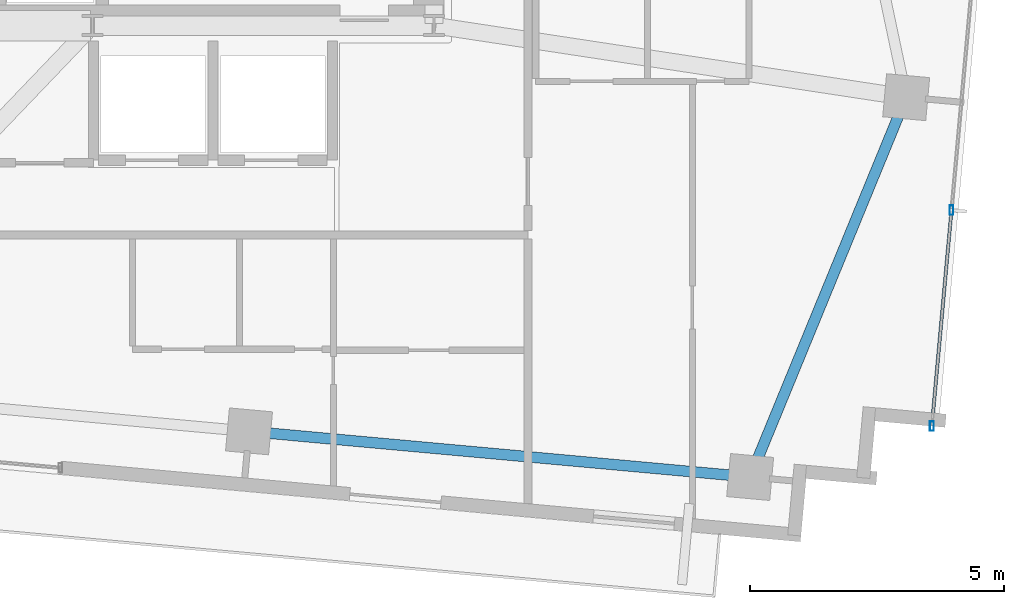
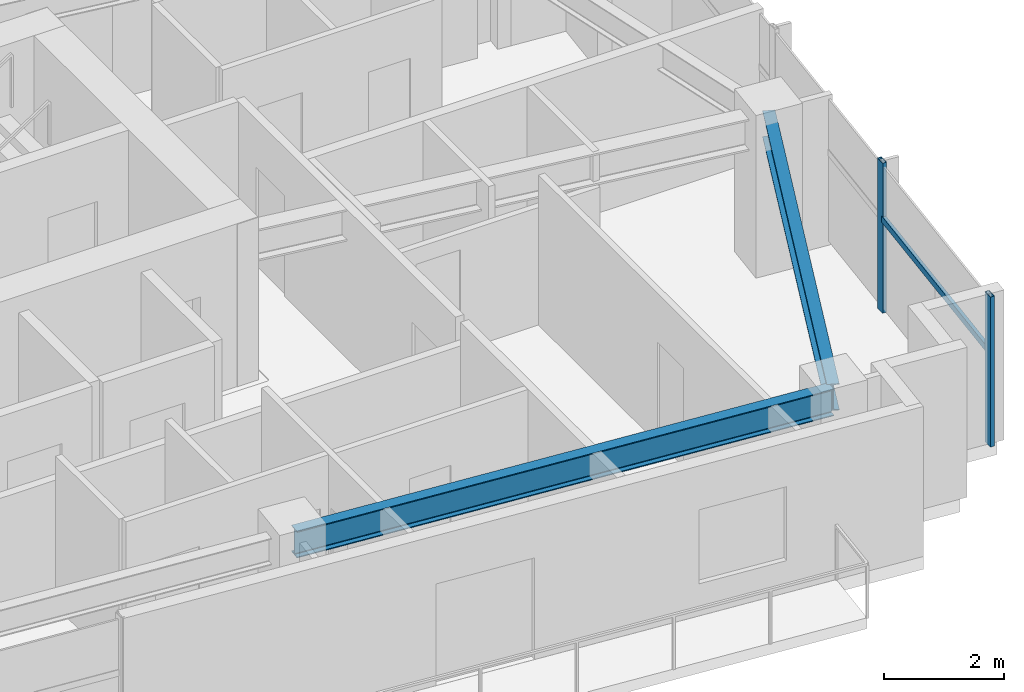
# One storey, part 12 of 22: 3 members, 2 beams, 1 element without a shape of its own.
"""IFC4 building model written with IfcOpenShell, lengths in metres."""

from ifc_helpers import new_model, si_unit, direction, frame, origin, origin_2d, place, context, subcontext, project, spatial, hollow_rectangle, i_section, extrude, source, transform, mapped, material, material_profile, profile_set, type_object, type_shapes, element, aggregate, save


model = new_model("IFC4")

# Units and contexts
model_context = context("Model", 3, precision=1e-05, world=origin(), true_north=direction((0.0, 1.0)))
body_context = subcontext(model_context, "Body", "Model", "MODEL_VIEW")
ifc_project = project(units=[si_unit("LENGTHUNIT", "METRE"), si_unit("AREAUNIT", "SQUARE_METRE"), si_unit("VOLUMEUNIT", "CUBIC_METRE"), si_unit("PLANEANGLEUNIT", "RADIAN"), si_unit("MASSUNIT", "GRAM", prefix="KILO")], contexts=[model_context])

# Site, building, storey
site_placement = place(None, origin())
site = spatial("IfcSite", under=ifc_project, at=site_placement, CompositionType="ELEMENT")
building_placement = place(site_placement, origin())
building = spatial("IfcBuilding", under=site, at=building_placement, Name="Astriad Promenade Condominiums", CompositionType="ELEMENT")
storey_placement = place(building_placement, frame((0.0, 0.0, 246.300048828125)))
storey = spatial("IfcBuildingStorey", under=building, at=storey_placement, Name="L71", CompositionType="ELEMENT", Elevation=246.300048828125)

# Beams
ifc_material_1 = material(Name="Steel ASTM A992 Grade 50", Category="steel")
ifc_material_profile_1 = material_profile(ifc_material_1, i_section(OverallWidth=0.210693359375, OverallDepth=0.53955078125, WebThickness=0.01171875, FlangeThickness=0.018798828125, FilletRadius=0.0166015625, at=origin_2d()), Name="W21X73")
ifc_profile_set_1 = profile_set([ifc_material_profile_1], Name="Steel ASTM A992 Grade 50")
beam_type = type_object("IfcBeamType", Name="STEEL SPANDREL BEAM W21X73", PredefinedType="SPANDREL", material=ifc_profile_set_1)
shared_shape_1 = source(origin(), body_context, "Body", "SweptSolid", [
    extrude(i_section(OverallWidth=0.210693359375, OverallDepth=0.53955078125, WebThickness=0.01171875, FlangeThickness=0.018798828125, FilletRadius=0.0166015625, at=origin_2d()), origin(), (0.0, 0.0, 1.0), 9.820068359375),
])
beam_1_placement = place(storey_placement, frame((41.99951171875, 9.410888671875, 2.770263671875), z_axis=(0.995883214993, -0.090645585088, 0.0), x_axis=(0.090645585088, 0.995883214993, 0.0)))
element("IfcBeam", 1, at=beam_1_placement, inside=storey, type_object=beam_type, Name="Perimeter Spandrel Beam SP-S4-L71", PredefinedType="SPANDREL", context=body_context, shape_type="MappedRepresentation", body=[
    mapped(shared_shape_1, transform((0.0, 0.0, 0.0), scale=1.0)),
])
shared_shape_2 = source(origin(), body_context, "Body", "SweptSolid", [
    extrude(i_section(OverallWidth=0.210693359375, OverallDepth=0.53955078125, WebThickness=0.01171875, FlangeThickness=0.018798828125, FilletRadius=0.0166015625, at=origin_2d()), origin(), (0.0, 0.0, 1.0), 7.998779296875),
])
type_shapes(beam_type, [shared_shape_1, shared_shape_2])
beam_2_placement = place(storey_placement, frame((51.833984375, 8.55419921875, 2.770263671875), z_axis=(0.38000513148, 0.924984378273, 0.0), x_axis=(-0.924984378273, 0.38000513148, 0.0)))
element("IfcBeam", 2, at=beam_2_placement, inside=storey, type_object=beam_type, Name="Perimeter Spandrel Beam SP-E1-L71", PredefinedType="SPANDREL", context=body_context, shape_type="MappedRepresentation", body=[
    mapped(shared_shape_2, transform((0.0, 0.0, 0.0), scale=1.0)),
])

# Curtain wall, members
ifc_material_2 = material(Name="Anodised aluminium Black Dark Glass Unitised", Category="aluminium")
curtain_wall_type = type_object("IfcCurtainWallType", Name="CW-B5-DARK", PredefinedType="USERDEFINED", material=ifc_material_2)
curtain_wall_placement = place(storey_placement, origin())
curtain_wall = element("IfcCurtainWall", 3, at=curtain_wall_placement, inside=storey, type_object=curtain_wall_type, Name="CW-L71-E", ObjectType="UNITISED_CURTAIN_WALL", PredefinedType="USERDEFINED")
ifc_material_3 = material(Name="Anodised aluminium 6063-T6 Black", Category="aluminium")
ifc_material_profile_2 = material_profile(ifc_material_3, hollow_rectangle(XDim=0.06494140625, YDim=0.1298828125, WallThickness=0.00390625, at=origin_2d()), Name="ALU-TRN-65X130")
ifc_profile_set_2 = profile_set([ifc_material_profile_2], Name="Anodised aluminium 6063-T6 Black")
member_type_1 = type_object("IfcMemberType", Name="TRN-ALU-TRN-65X130", PredefinedType="USERDEFINED", material=ifc_profile_set_2)
shared_shape_3 = source(origin(), body_context, "Body", "SweptSolid", [
    extrude(hollow_rectangle(XDim=0.06494140625, YDim=0.1298828125, WallThickness=0.00390625, at=origin_2d()), origin(), (0.0, 0.0, 1.0), 4.2666015625),
])
type_shapes(member_type_1, [shared_shape_3])
member_1_placement = place(storey_placement, frame((55.78076171875, 13.766357421875, 1.884765625), z_axis=(-0.090638931954, -0.99588382054, 0.0), x_axis=(0.99588382054, -0.090638931954, 0.0)))
member_1 = element("IfcMember", 4, at=member_1_placement, type_object=member_type_1, Name="CW-L71-E-TRN-02-0", ObjectType="TRANSOM", PredefinedType="USERDEFINED", context=body_context, shape_type="MappedRepresentation", body=[
    mapped(shared_shape_3, transform((0.0, 0.0, 0.0), scale=1.0)),
])
ifc_material_profile_3 = material_profile(ifc_material_3, hollow_rectangle(XDim=0.074951171875, YDim=0.18505859375, WallThickness=0.00439453125, at=origin_2d()), Name="ALU-MUL-75X185")
ifc_profile_set_3 = profile_set([ifc_material_profile_3], Name="Anodised aluminium 6063-T6 Black")
member_type_2 = type_object("IfcMemberType", Name="MUL-ALU-MUL-75X185", PredefinedType="MULLION", material=ifc_profile_set_3)
shared_shape_4 = source(origin(), body_context, "Body", "SweptSolid", [
    extrude(hollow_rectangle(XDim=0.074951171875, YDim=0.18505859375, WallThickness=0.00439453125, at=origin_2d()), origin(), (0.0, 0.0, 1.0), 3.0400390625),
])
type_shapes(member_type_2, [shared_shape_4])
member_2_placement = place(storey_placement, frame((55.78076171875, 13.766357421875, 0.0), z_axis=(0.0, 0.0, 1.0), x_axis=(1.0, 0.0, 0.0)))
member_2 = element("IfcMember", 5, at=member_2_placement, type_object=member_type_2, Name="CW-L71-E-MUL-02", PredefinedType="MULLION", context=body_context, shape_type="MappedRepresentation", body=[
    mapped(shared_shape_4, transform((0.0, 0.0, 0.0), scale=1.0)),
])
member_3_placement = place(storey_placement, frame((55.39404296875, 9.517333984375, 0.0), z_axis=(0.0, 0.0, 1.0), x_axis=(1.0, 0.0, 0.0)))
member_3 = element("IfcMember", 6, at=member_3_placement, type_object=member_type_2, Name="CW-L71-E-MUL-03", PredefinedType="MULLION", context=body_context, shape_type="MappedRepresentation", body=[
    mapped(shared_shape_4, transform((0.0, 0.0, 0.0), scale=1.0)),
])
aggregate(curtain_wall, [member_2, member_3, member_1])

save(model, "model.ifc")
